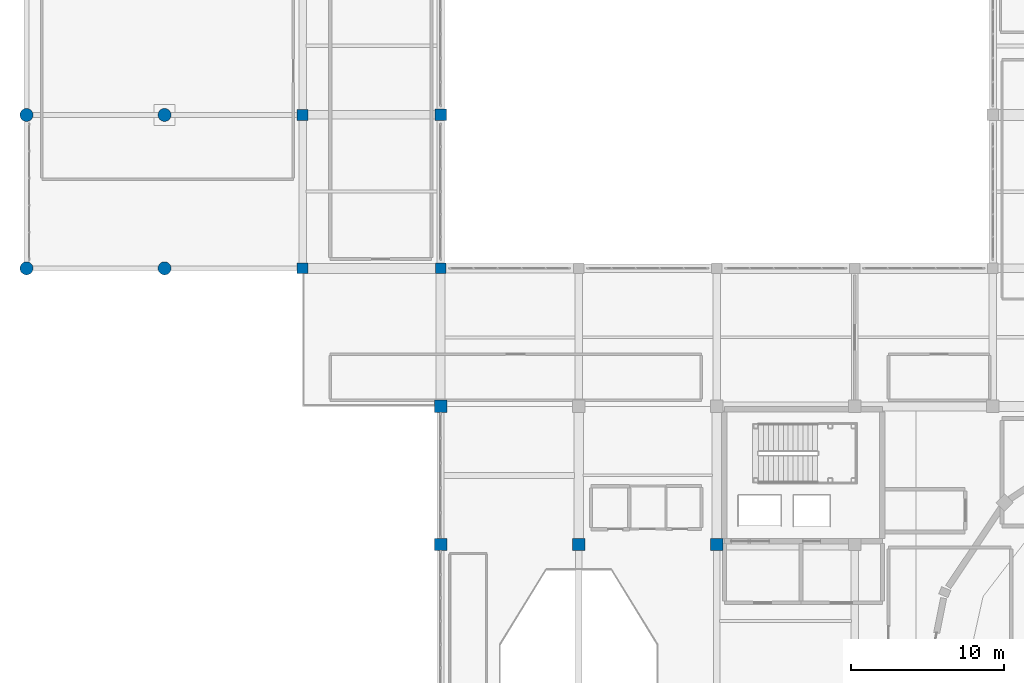
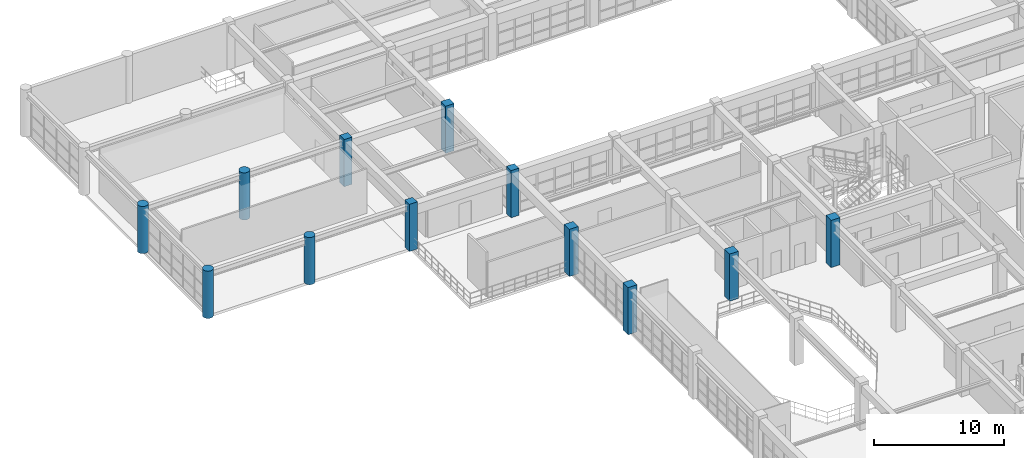
# One storey, part 8 of 133: 12 columns.
"""IFC4 building model written with IfcOpenShell, lengths in metres."""

from ifc_helpers import new_model, si_unit, direction, frame, origin, origin_2d, place, context, subcontext, project, spatial, rectangle, circle, extrude, material, material_profile, profile_set, type_object, element, save


model = new_model("IFC4")

# Units and contexts
model_context = context("Model", 3, precision=1e-05, world=origin(), true_north=direction((0.0, 1.0)))
body_context = subcontext(model_context, "Body", "Model", "MODEL_VIEW")
ifc_project = project(units=[si_unit("LENGTHUNIT", "METRE"), si_unit("AREAUNIT", "SQUARE_METRE"), si_unit("VOLUMEUNIT", "CUBIC_METRE"), si_unit("PLANEANGLEUNIT", "RADIAN"), si_unit("MASSUNIT", "GRAM", prefix="KILO")], contexts=[model_context])

# Site, building, storey
site_placement = place(None, origin())
site = spatial("IfcSite", under=ifc_project, at=site_placement, CompositionType="ELEMENT")
building_placement = place(site_placement, origin())
building = spatial("IfcBuilding", under=site, at=building_placement, Name="Miravela Opera House", CompositionType="ELEMENT")
storey_placement = place(building_placement, frame((0.0, 0.0, 5.10009765625)))
storey = spatial("IfcBuildingStorey", under=building, at=storey_placement, Name="L01", CompositionType="ELEMENT", Elevation=5.10009765625)

# Columns
ifc_material_1 = material(Name="Concrete C35/45", Category="concrete")
ifc_material_profile_1 = material_profile(ifc_material_1, rectangle(XDim=0.699951171875, YDim=0.699951171875, at=origin_2d()), Name="RC-COL-700X700")
ifc_profile_set_1 = profile_set([ifc_material_profile_1])
column_type_1 = type_object("IfcColumnType", Name="STR-COL-RC700", PredefinedType="COLUMN", material=ifc_profile_set_1)
for number, where, z_axis, x_axis, name in (
    (1, (18.0, 84.0, 0.0), (0.0, 0.0, 1.0), (1.0, 0.0, 0.0), "Column C-3J (L01)"),
    (2, (18.0, 94.0, 0.0), (0.0, 0.0, 1.0), (1.0, 0.0, 0.0), "Column C-3K (L01)"),
    (3, (27.0, 84.0, 0.0), (0.0, 0.0, 1.0), (1.0, 0.0, 0.0), "Column C-4J (L01)"),
):
    element("IfcColumn", number, at=place(storey_placement, frame(where, z_axis=z_axis, x_axis=x_axis)), inside=storey, type_object=column_type_1, Name=name, PredefinedType="COLUMN", context=body_context, shape_type="SweptSolid", body=[
        extrude(rectangle(XDim=0.699951171875, YDim=0.699951171875, at=origin_2d()), origin(), (0.0, 0.0, 1.0), 4.419921875),
    ])
ifc_material_profile_2 = material_profile(ifc_material_1, rectangle(XDim=0.75, YDim=0.75, at=origin_2d()), Name="RC-COL-750X750")
ifc_profile_set_2 = profile_set([ifc_material_profile_2])
column_type_2 = type_object("IfcColumnType", Name="STR-COL-RC750", PredefinedType="COLUMN", material=ifc_profile_set_2)
column_placement = place(storey_placement, frame((27.0, 94.0, 0.0), z_axis=(0.0, 0.0, 1.0), x_axis=(1.0, 0.0, 0.0)))
element("IfcColumn", 4, at=column_placement, inside=storey, type_object=column_type_2, Name="Column C-4K (L01)", PredefinedType="COLUMN", context=body_context, shape_type="SweptSolid", body=[
    extrude(rectangle(XDim=0.75, YDim=0.75, at=origin_2d()), origin(), (0.0, 0.0, 1.0), 4.419921875),
])
ifc_material_2 = material(Name="Concrete C40/50", Category="concrete")
ifc_material_profile_3 = material_profile(ifc_material_2, rectangle(XDim=0.800048828125, YDim=0.800048828125, at=origin_2d()), Name="RC-COL-800X800")
ifc_profile_set_3 = profile_set([ifc_material_profile_3])
column_type_3 = type_object("IfcColumnType", Name="STR-COL-RC800", PredefinedType="COLUMN", material=ifc_profile_set_3)
for number, where, z_axis, x_axis, name in (
    (5, (27.0, 66.0, 0.0), (0.0, 0.0, 1.0), (1.0, 0.0, 0.0), "Column C-4H (L01)"),
    (6, (27.0, 75.0, 0.0), (0.0, 0.0, 1.0), (1.0, 0.0, 0.0), "Column C-4I (L01)"),
    (7, (36.0, 66.0, 0.0), (0.0, 0.0, 1.0), (1.0, 0.0, 0.0), "Column C-5H (L01)"),
    (8, (45.0, 66.0, 0.0), (0.0, 0.0, 1.0), (1.0, 0.0, 0.0), "Column C-6H (L01)"),
):
    element("IfcColumn", number, at=place(storey_placement, frame(where, z_axis=z_axis, x_axis=x_axis)), inside=storey, type_object=column_type_3, Name=name, PredefinedType="COLUMN", context=body_context, shape_type="SweptSolid", body=[
        extrude(rectangle(XDim=0.800048828125, YDim=0.800048828125, at=origin_2d()), origin(), (0.0, 0.0, 1.0), 4.419921875),
    ])
ifc_material_profile_4 = material_profile(ifc_material_2, circle(Radius=0.425048828125, at=origin_2d()), Name="RC-COL-D850")
ifc_profile_set_4 = profile_set([ifc_material_profile_4])
column_type_4 = type_object("IfcColumnType", Name="STR-COL-RCD850", PredefinedType="COLUMN", material=ifc_profile_set_4)
for number, where, z_axis, x_axis, name in (
    (9, (0.0, 84.0, 0.0), (0.0, 0.0, 1.0), (1.0, 0.0, 0.0), "Column C-1J (L01)"),
    (10, (0.0, 94.0, 0.0), (0.0, 0.0, 1.0), (1.0, 0.0, 0.0), "Column C-1K (L01)"),
    (11, (9.0, 84.0, 0.0), (0.0, 0.0, 1.0), (1.0, 0.0, 0.0), "Column C-2J (L01)"),
    (12, (9.0, 94.0, 0.0), (0.0, 0.0, 1.0), (1.0, 0.0, 0.0), "Column C-2K (L01)"),
):
    element("IfcColumn", number, at=place(storey_placement, frame(where, z_axis=z_axis, x_axis=x_axis)), inside=storey, type_object=column_type_4, Name=name, PredefinedType="COLUMN", context=body_context, shape_type="SweptSolid", body=[
        extrude(circle(Radius=0.425048828125, at=origin_2d()), origin(), (0.0, 0.0, 1.0), 4.419921875),
    ])

save(model, "model.ifc")
